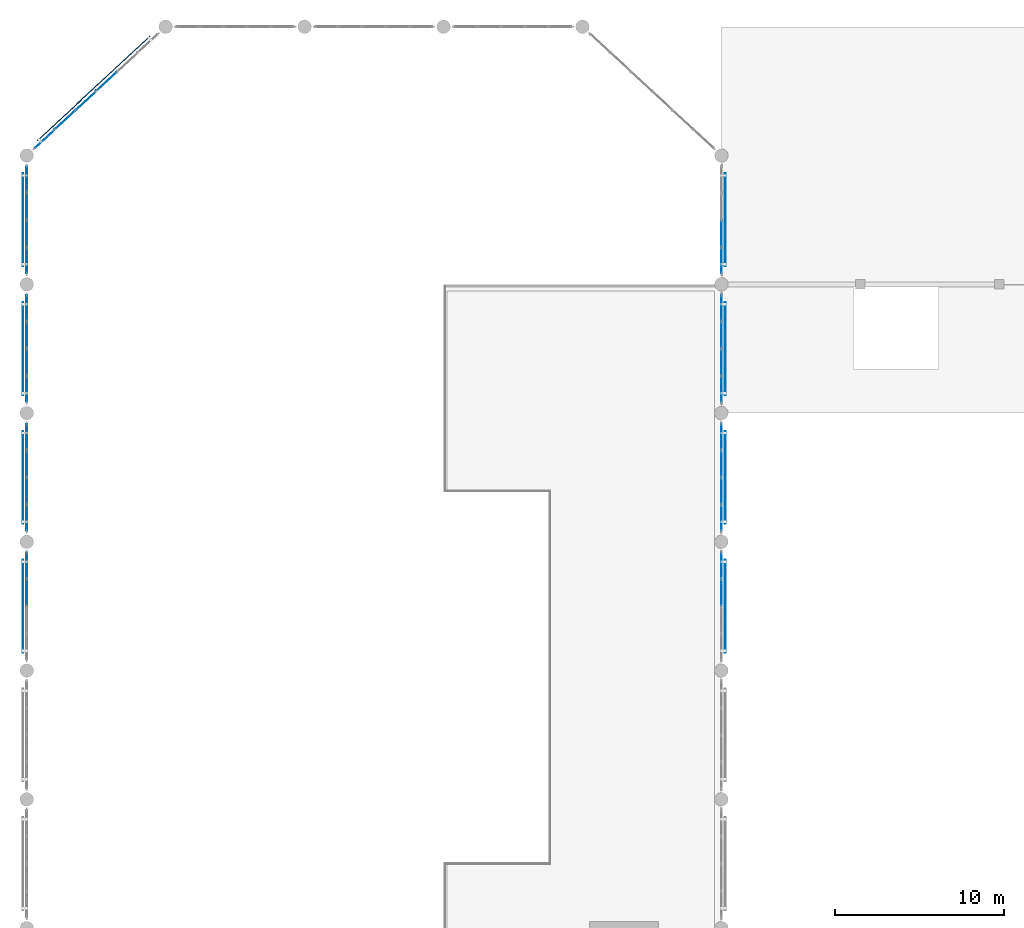
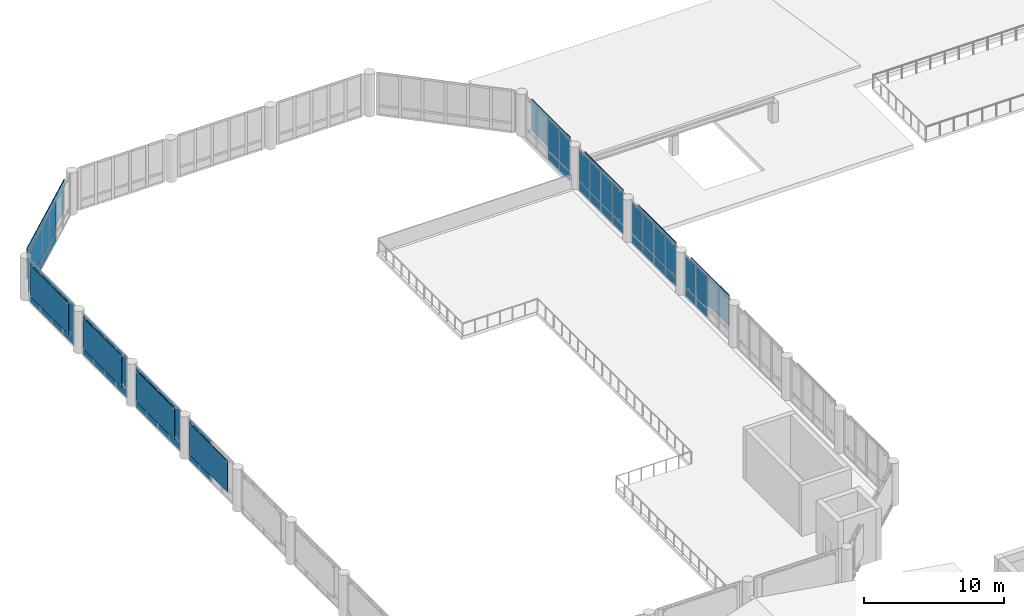
# One storey, part 30 of 49: 69 plates, 9 elements without a shape of their own.
"""IFC4 building model written with IfcOpenShell, lengths in metres."""

from ifc_helpers import new_model, si_unit, direction, frame, origin, origin_2d, place, context, subcontext, project, spatial, rectangle, extrude, material, layer, layer_set, type_object, element, aggregate, save


model = new_model("IFC4")

# Units and contexts
model_context = context("Model", 3, precision=1e-05, world=origin(), true_north=direction((0.0, 1.0)))
body_context = subcontext(model_context, "Body", "Model", "MODEL_VIEW")
ifc_project = project(units=[si_unit("LENGTHUNIT", "METRE"), si_unit("AREAUNIT", "SQUARE_METRE"), si_unit("VOLUMEUNIT", "CUBIC_METRE"), si_unit("PLANEANGLEUNIT", "RADIAN"), si_unit("MASSUNIT", "GRAM", prefix="KILO")], contexts=[model_context])

# Site, building, storey
site_placement = place(None, origin())
site = spatial("IfcSite", under=ifc_project, at=site_placement, CompositionType="ELEMENT")
building_placement = place(site_placement, origin())
building = spatial("IfcBuilding", under=site, at=building_placement, Name="Qandaris Square Conservatory and Botanical Centre", CompositionType="ELEMENT")
storey_placement = place(building_placement, frame((0.0, 0.0, 10.199951171875)))
storey = spatial("IfcBuildingStorey", under=building, at=storey_placement, Name="L02", CompositionType="ELEMENT", Elevation=10.199951171875)

# Curtain wall, plates
ifc_material_1 = material(Name="Anodised Aluminium", Category="aluminium")
curtain_wall_type_1 = type_object("IfcCurtainWallType", Name="Unitised Curtain Wall CW-2-644x370", PredefinedType="USERDEFINED", material=ifc_material_1)
curtain_wall_1_placement = place(storey_placement, origin())
curtain_wall_1 = element("IfcCurtainWall", 1, at=curtain_wall_1_placement, inside=storey, type_object=curtain_wall_type_1, Name="Curtain Wall CW-CON-L02-3-4", ObjectType="GLAZED CURTAIN WALL", PredefinedType="USERDEFINED")
ifc_material_2 = material(Name="Tempered Low-E Glass", Category="glass")
ifc_layer_1 = layer(ifc_material_2, 0.0400390625)
ifc_layer_set_1 = layer_set([ifc_layer_1], Name="Tempered Low-E Glass")
plate_type_1 = type_object("IfcPlateType", Name="Conservatory Laminated Low-Iron Biome Glass 40mm", PredefinedType="CURTAIN_PANEL", material=ifc_layer_set_1)
plate_1_placement = place(storey_placement, frame((57.199951171875, 82.0048828125, 0.0751953125), z_axis=(0.0, 0.0, 1.0), x_axis=(0.0, 1.0, 0.0)))
plate_1 = element("IfcPlate", 2, at=plate_1_placement, type_object=plate_type_1, Name="CW-2-644x370 panel 3.1", PredefinedType="CURTAIN_PANEL", context=body_context, shape_type="SweptSolid", body=[
    extrude(rectangle(XDim=1.534912109375, YDim=0.0400390625, at=origin_2d()), origin(), (0.0, 0.0, 1.0), 0.737548828125),
])
plate_2_placement = place(storey_placement, frame((57.199951171875, 82.0048828125, 0.8876953125), z_axis=(0.0, 0.0, 1.0), x_axis=(0.0, 1.0, 0.0)))
plate_2 = element("IfcPlate", 3, at=plate_2_placement, type_object=plate_type_1, Name="CW-2-644x370 panel 3.2", PredefinedType="CURTAIN_PANEL", context=body_context, shape_type="SweptSolid", body=[
    extrude(rectangle(XDim=1.534912109375, YDim=0.0400390625, at=origin_2d()), origin(), (0.0, 0.0, 1.0), 2.737548828125),
])
plate_3_placement = place(storey_placement, frame((57.199951171875, 83.59619140625, 0.0751953125), z_axis=(0.0, 0.0, 1.0), x_axis=(0.0, 1.0, 0.0)))
plate_3 = element("IfcPlate", 4, at=plate_3_placement, type_object=plate_type_1, Name="CW-2-644x370 panel 4.1", PredefinedType="CURTAIN_PANEL", context=body_context, shape_type="SweptSolid", body=[
    extrude(rectangle(XDim=1.49755859375, YDim=0.0400390625, at=origin_2d()), origin(), (0.0, 0.0, 1.0), 0.737548828125),
])
plate_4_placement = place(storey_placement, frame((57.199951171875, 83.59619140625, 0.8876953125), z_axis=(0.0, 0.0, 1.0), x_axis=(0.0, 1.0, 0.0)))
plate_4 = element("IfcPlate", 5, at=plate_4_placement, type_object=plate_type_1, Name="CW-2-644x370 panel 4.2", PredefinedType="CURTAIN_PANEL", context=body_context, shape_type="SweptSolid", body=[
    extrude(rectangle(XDim=1.49755859375, YDim=0.0400390625, at=origin_2d()), origin(), (0.0, 0.0, 1.0), 2.737548828125),
])
aggregate(curtain_wall_1, [plate_1, plate_2, plate_3, plate_4])

curtain_wall_2_placement = place(storey_placement, origin())
curtain_wall_2 = element("IfcCurtainWall", 6, at=curtain_wall_2_placement, inside=storey, type_object=curtain_wall_type_1, Name="Curtain Wall CW-CON-L02-3-5", ObjectType="GLAZED CURTAIN WALL", PredefinedType="USERDEFINED")
plate_5_placement = place(storey_placement, frame((57.199951171875, 86.40380859375, 0.0751953125), z_axis=(0.0, 0.0, 1.0), x_axis=(0.0, 1.0, 0.0)))
plate_5 = element("IfcPlate", 7, at=plate_5_placement, type_object=plate_type_1, Name="CW-2-644x370 panel 1.1", PredefinedType="CURTAIN_PANEL", context=body_context, shape_type="SweptSolid", body=[
    extrude(rectangle(XDim=1.49755859375, YDim=0.0400390625, at=origin_2d()), origin(), (0.0, 0.0, 1.0), 0.737548828125),
])
plate_6_placement = place(storey_placement, frame((57.199951171875, 86.40380859375, 0.8876953125), z_axis=(0.0, 0.0, 1.0), x_axis=(0.0, 1.0, 0.0)))
plate_6 = element("IfcPlate", 8, at=plate_6_placement, type_object=plate_type_1, Name="CW-2-644x370 panel 1.2", PredefinedType="CURTAIN_PANEL", context=body_context, shape_type="SweptSolid", body=[
    extrude(rectangle(XDim=1.49755859375, YDim=0.0400390625, at=origin_2d()), origin(), (0.0, 0.0, 1.0), 2.737548828125),
])
plate_7_placement = place(storey_placement, frame((57.199951171875, 87.9951171875, 0.0751953125), z_axis=(0.0, 0.0, 1.0), x_axis=(0.0, 1.0, 0.0)))
plate_7 = element("IfcPlate", 9, at=plate_7_placement, type_object=plate_type_1, Name="CW-2-644x370 panel 2.1", PredefinedType="CURTAIN_PANEL", context=body_context, shape_type="SweptSolid", body=[
    extrude(rectangle(XDim=1.534912109375, YDim=0.0400390625, at=origin_2d()), origin(), (0.0, 0.0, 1.0), 0.737548828125),
])
plate_8_placement = place(storey_placement, frame((57.199951171875, 87.9951171875, 0.8876953125), z_axis=(0.0, 0.0, 1.0), x_axis=(0.0, 1.0, 0.0)))
plate_8 = element("IfcPlate", 10, at=plate_8_placement, type_object=plate_type_1, Name="CW-2-644x370 panel 2.2", PredefinedType="CURTAIN_PANEL", context=body_context, shape_type="SweptSolid", body=[
    extrude(rectangle(XDim=1.534912109375, YDim=0.0400390625, at=origin_2d()), origin(), (0.0, 0.0, 1.0), 2.737548828125),
])
plate_9_placement = place(storey_placement, frame((57.199951171875, 89.60498046875, 0.0751953125), z_axis=(0.0, 0.0, 1.0), x_axis=(0.0, 1.0, 0.0)))
plate_9 = element("IfcPlate", 11, at=plate_9_placement, type_object=plate_type_1, Name="CW-2-644x370 panel 3.1", PredefinedType="CURTAIN_PANEL", context=body_context, shape_type="SweptSolid", body=[
    extrude(rectangle(XDim=1.534912109375, YDim=0.0400390625, at=origin_2d()), origin(), (0.0, 0.0, 1.0), 0.737548828125),
])
plate_10_placement = place(storey_placement, frame((57.199951171875, 89.60498046875, 0.8876953125), z_axis=(0.0, 0.0, 1.0), x_axis=(0.0, 1.0, 0.0)))
plate_10 = element("IfcPlate", 12, at=plate_10_placement, type_object=plate_type_1, Name="CW-2-644x370 panel 3.2", PredefinedType="CURTAIN_PANEL", context=body_context, shape_type="SweptSolid", body=[
    extrude(rectangle(XDim=1.534912109375, YDim=0.0400390625, at=origin_2d()), origin(), (0.0, 0.0, 1.0), 2.737548828125),
])
plate_11_placement = place(storey_placement, frame((57.199951171875, 91.1962890625, 0.0751953125), z_axis=(0.0, 0.0, 1.0), x_axis=(0.0, 1.0, 0.0)))
plate_11 = element("IfcPlate", 13, at=plate_11_placement, type_object=plate_type_1, Name="CW-2-644x370 panel 4.1", PredefinedType="CURTAIN_PANEL", context=body_context, shape_type="SweptSolid", body=[
    extrude(rectangle(XDim=1.49755859375, YDim=0.0400390625, at=origin_2d()), origin(), (0.0, 0.0, 1.0), 0.737548828125),
])
plate_12_placement = place(storey_placement, frame((57.199951171875, 91.1962890625, 0.8876953125), z_axis=(0.0, 0.0, 1.0), x_axis=(0.0, 1.0, 0.0)))
plate_12 = element("IfcPlate", 14, at=plate_12_placement, type_object=plate_type_1, Name="CW-2-644x370 panel 4.2", PredefinedType="CURTAIN_PANEL", context=body_context, shape_type="SweptSolid", body=[
    extrude(rectangle(XDim=1.49755859375, YDim=0.0400390625, at=origin_2d()), origin(), (0.0, 0.0, 1.0), 2.737548828125),
])
aggregate(curtain_wall_2, [plate_5, plate_6, plate_7, plate_8, plate_9, plate_10, plate_11, plate_12])

curtain_wall_3_placement = place(storey_placement, origin())
curtain_wall_3 = element("IfcCurtainWall", 15, at=curtain_wall_3_placement, inside=storey, type_object=curtain_wall_type_1, Name="Curtain Wall CW-CON-L02-3-6", ObjectType="GLAZED CURTAIN WALL", PredefinedType="USERDEFINED")
plate_13_placement = place(storey_placement, frame((57.199951171875, 94.003662109375, 0.0751953125), z_axis=(0.0, 0.0, 1.0), x_axis=(0.0, 1.0, 0.0)))
plate_13 = element("IfcPlate", 16, at=plate_13_placement, type_object=plate_type_1, Name="CW-2-644x370 panel 1.1", PredefinedType="CURTAIN_PANEL", context=body_context, shape_type="SweptSolid", body=[
    extrude(rectangle(XDim=1.49755859375, YDim=0.0400390625, at=origin_2d()), origin(), (0.0, 0.0, 1.0), 0.737548828125),
])
plate_14_placement = place(storey_placement, frame((57.199951171875, 94.003662109375, 0.8876953125), z_axis=(0.0, 0.0, 1.0), x_axis=(0.0, 1.0, 0.0)))
plate_14 = element("IfcPlate", 17, at=plate_14_placement, type_object=plate_type_1, Name="CW-2-644x370 panel 1.2", PredefinedType="CURTAIN_PANEL", context=body_context, shape_type="SweptSolid", body=[
    extrude(rectangle(XDim=1.49755859375, YDim=0.0400390625, at=origin_2d()), origin(), (0.0, 0.0, 1.0), 2.737548828125),
])
plate_15_placement = place(storey_placement, frame((57.199951171875, 95.594970703125, 0.0751953125), z_axis=(0.0, 0.0, 1.0), x_axis=(0.0, 1.0, 0.0)))
plate_15 = element("IfcPlate", 18, at=plate_15_placement, type_object=plate_type_1, Name="CW-2-644x370 panel 2.1", PredefinedType="CURTAIN_PANEL", context=body_context, shape_type="SweptSolid", body=[
    extrude(rectangle(XDim=1.534912109375, YDim=0.0400390625, at=origin_2d()), origin(), (0.0, 0.0, 1.0), 0.737548828125),
])
plate_16_placement = place(storey_placement, frame((57.199951171875, 95.594970703125, 0.8876953125), z_axis=(0.0, 0.0, 1.0), x_axis=(0.0, 1.0, 0.0)))
plate_16 = element("IfcPlate", 19, at=plate_16_placement, type_object=plate_type_1, Name="CW-2-644x370 panel 2.2", PredefinedType="CURTAIN_PANEL", context=body_context, shape_type="SweptSolid", body=[
    extrude(rectangle(XDim=1.534912109375, YDim=0.0400390625, at=origin_2d()), origin(), (0.0, 0.0, 1.0), 2.737548828125),
])
plate_17_placement = place(storey_placement, frame((57.199951171875, 97.205078125, 0.0751953125), z_axis=(0.0, 0.0, 1.0), x_axis=(0.0, 1.0, 0.0)))
plate_17 = element("IfcPlate", 20, at=plate_17_placement, type_object=plate_type_1, Name="CW-2-644x370 panel 3.1", PredefinedType="CURTAIN_PANEL", context=body_context, shape_type="SweptSolid", body=[
    extrude(rectangle(XDim=1.534912109375, YDim=0.0400390625, at=origin_2d()), origin(), (0.0, 0.0, 1.0), 0.737548828125),
])
plate_18_placement = place(storey_placement, frame((57.199951171875, 97.205078125, 0.8876953125), z_axis=(0.0, 0.0, 1.0), x_axis=(0.0, 1.0, 0.0)))
plate_18 = element("IfcPlate", 21, at=plate_18_placement, type_object=plate_type_1, Name="CW-2-644x370 panel 3.2", PredefinedType="CURTAIN_PANEL", context=body_context, shape_type="SweptSolid", body=[
    extrude(rectangle(XDim=1.534912109375, YDim=0.0400390625, at=origin_2d()), origin(), (0.0, 0.0, 1.0), 2.737548828125),
])
plate_19_placement = place(storey_placement, frame((57.199951171875, 98.796142578125, 0.0751953125), z_axis=(0.0, 0.0, 1.0), x_axis=(0.0, 1.0, 0.0)))
plate_19 = element("IfcPlate", 22, at=plate_19_placement, type_object=plate_type_1, Name="CW-2-644x370 panel 4.1", PredefinedType="CURTAIN_PANEL", context=body_context, shape_type="SweptSolid", body=[
    extrude(rectangle(XDim=1.49755859375, YDim=0.0400390625, at=origin_2d()), origin(), (0.0, 0.0, 1.0), 0.737548828125),
])
plate_20_placement = place(storey_placement, frame((57.199951171875, 98.796142578125, 0.8876953125), z_axis=(0.0, 0.0, 1.0), x_axis=(0.0, 1.0, 0.0)))
plate_20 = element("IfcPlate", 23, at=plate_20_placement, type_object=plate_type_1, Name="CW-2-644x370 panel 4.2", PredefinedType="CURTAIN_PANEL", context=body_context, shape_type="SweptSolid", body=[
    extrude(rectangle(XDim=1.49755859375, YDim=0.0400390625, at=origin_2d()), origin(), (0.0, 0.0, 1.0), 2.737548828125),
])
aggregate(curtain_wall_3, [plate_13, plate_14, plate_15, plate_16, plate_17, plate_18, plate_19, plate_20])

curtain_wall_4_placement = place(storey_placement, origin())
curtain_wall_4 = element("IfcCurtainWall", 24, at=curtain_wall_4_placement, inside=storey, type_object=curtain_wall_type_1, Name="Curtain Wall CW-CON-L02-3-7", ObjectType="GLAZED CURTAIN WALL", PredefinedType="USERDEFINED")
plate_21_placement = place(storey_placement, frame((57.199951171875, 101.603759765625, 0.0751953125), z_axis=(0.0, 0.0, 1.0), x_axis=(0.0, 1.0, 0.0)))
plate_21 = element("IfcPlate", 25, at=plate_21_placement, type_object=plate_type_1, Name="CW-2-644x370 panel 1.1", PredefinedType="CURTAIN_PANEL", context=body_context, shape_type="SweptSolid", body=[
    extrude(rectangle(XDim=1.49755859375, YDim=0.0400390625, at=origin_2d()), origin(), (0.0, 0.0, 1.0), 0.737548828125),
])
plate_22_placement = place(storey_placement, frame((57.199951171875, 101.603759765625, 0.8876953125), z_axis=(0.0, 0.0, 1.0), x_axis=(0.0, 1.0, 0.0)))
plate_22 = element("IfcPlate", 26, at=plate_22_placement, type_object=plate_type_1, Name="CW-2-644x370 panel 1.2", PredefinedType="CURTAIN_PANEL", context=body_context, shape_type="SweptSolid", body=[
    extrude(rectangle(XDim=1.49755859375, YDim=0.0400390625, at=origin_2d()), origin(), (0.0, 0.0, 1.0), 2.737548828125),
])
plate_23_placement = place(storey_placement, frame((57.199951171875, 103.195068359375, 0.0751953125), z_axis=(0.0, 0.0, 1.0), x_axis=(0.0, 1.0, 0.0)))
plate_23 = element("IfcPlate", 27, at=plate_23_placement, type_object=plate_type_1, Name="CW-2-644x370 panel 2.1", PredefinedType="CURTAIN_PANEL", context=body_context, shape_type="SweptSolid", body=[
    extrude(rectangle(XDim=1.534912109375, YDim=0.0400390625, at=origin_2d()), origin(), (0.0, 0.0, 1.0), 0.737548828125),
])
plate_24_placement = place(storey_placement, frame((57.199951171875, 103.195068359375, 0.8876953125), z_axis=(0.0, 0.0, 1.0), x_axis=(0.0, 1.0, 0.0)))
plate_24 = element("IfcPlate", 28, at=plate_24_placement, type_object=plate_type_1, Name="CW-2-644x370 panel 2.2", PredefinedType="CURTAIN_PANEL", context=body_context, shape_type="SweptSolid", body=[
    extrude(rectangle(XDim=1.534912109375, YDim=0.0400390625, at=origin_2d()), origin(), (0.0, 0.0, 1.0), 2.737548828125),
])
aggregate(curtain_wall_4, [plate_21, plate_22, plate_23, plate_24])

curtain_wall_type_2 = type_object("IfcCurtainWallType", Name="Unitised Curtain Wall CW-2-1002x370", PredefinedType="USERDEFINED", material=ifc_material_1)
curtain_wall_5_placement = place(storey_placement, origin())
curtain_wall_5 = element("IfcCurtainWall", 29, at=curtain_wall_5_placement, inside=storey, type_object=curtain_wall_type_2, Name="Curtain Wall CW-CON-L02-6-1", ObjectType="GLAZED CURTAIN WALL", PredefinedType="USERDEFINED")
plate_25_placement = place(storey_placement, frame((20.912353515625, 112.167724609375, 0.0751953125), z_axis=(0.0, 0.0, 1.0), x_axis=(-0.733432966404, -0.679761784592, 0.0)))
plate_25 = element("IfcPlate", 30, at=plate_25_placement, type_object=plate_type_1, Name="CW-2-1002x370 panel 3.1", PredefinedType="CURTAIN_PANEL", context=body_context, shape_type="SweptSolid", body=[
    extrude(rectangle(XDim=1.594970703125, YDim=0.0400390625, at=origin_2d()), origin(), (0.0, 0.0, 1.0), 0.737548828125),
])
plate_26_placement = place(storey_placement, frame((20.912353515625, 112.167724609375, 0.8876953125), z_axis=(0.0, 0.0, 1.0), x_axis=(-0.733432966404, -0.679761784592, 0.0)))
plate_26 = element("IfcPlate", 31, at=plate_26_placement, type_object=plate_type_1, Name="CW-2-1002x370 panel 3.2", PredefinedType="CURTAIN_PANEL", context=body_context, shape_type="SweptSolid", body=[
    extrude(rectangle(XDim=1.594970703125, YDim=0.0400390625, at=origin_2d()), origin(), (0.0, 0.0, 1.0), 2.737548828125),
])
plate_27_placement = place(storey_placement, frame((19.6875, 111.032470703125, 0.0751953125), z_axis=(0.0, 0.0, 1.0), x_axis=(-0.733432966404, -0.679761784592, 0.0)))
plate_27 = element("IfcPlate", 32, at=plate_27_placement, type_object=plate_type_1, Name="CW-2-1002x370 panel 4.1", PredefinedType="CURTAIN_PANEL", context=body_context, shape_type="SweptSolid", body=[
    extrude(rectangle(XDim=1.594970703125, YDim=0.0400390625, at=origin_2d()), origin(), (0.0, 0.0, 1.0), 0.737548828125),
])
plate_28_placement = place(storey_placement, frame((19.6875, 111.032470703125, 0.8876953125), z_axis=(0.0, 0.0, 1.0), x_axis=(-0.733432966404, -0.679761784592, 0.0)))
plate_28 = element("IfcPlate", 33, at=plate_28_placement, type_object=plate_type_1, Name="CW-2-1002x370 panel 4.2", PredefinedType="CURTAIN_PANEL", context=body_context, shape_type="SweptSolid", body=[
    extrude(rectangle(XDim=1.594970703125, YDim=0.0400390625, at=origin_2d()), origin(), (0.0, 0.0, 1.0), 2.737548828125),
])
plate_29_placement = place(storey_placement, frame((18.462646484375, 109.897216796875, 0.0751953125), z_axis=(0.0, 0.0, 1.0), x_axis=(-0.733432966404, -0.679761784592, 0.0)))
plate_29 = element("IfcPlate", 34, at=plate_29_placement, type_object=plate_type_1, Name="CW-2-1002x370 panel 5.1", PredefinedType="CURTAIN_PANEL", context=body_context, shape_type="SweptSolid", body=[
    extrude(rectangle(XDim=1.594970703125, YDim=0.0400390625, at=origin_2d()), origin(), (0.0, 0.0, 1.0), 0.737548828125),
])
plate_30_placement = place(storey_placement, frame((18.462646484375, 109.897216796875, 0.8876953125), z_axis=(0.0, 0.0, 1.0), x_axis=(-0.733432966404, -0.679761784592, 0.0)))
plate_30 = element("IfcPlate", 35, at=plate_30_placement, type_object=plate_type_1, Name="CW-2-1002x370 panel 5.2", PredefinedType="CURTAIN_PANEL", context=body_context, shape_type="SweptSolid", body=[
    extrude(rectangle(XDim=1.594970703125, YDim=0.0400390625, at=origin_2d()), origin(), (0.0, 0.0, 1.0), 2.737548828125),
])
plate_31_placement = place(storey_placement, frame((17.25146484375, 108.774658203125, 0.0751953125), z_axis=(0.0, 0.0, 1.0), x_axis=(-0.733432966404, -0.679761784592, 0.0)))
plate_31 = element("IfcPlate", 36, at=plate_31_placement, type_object=plate_type_1, Name="CW-2-1002x370 panel 6.1", PredefinedType="CURTAIN_PANEL", context=body_context, shape_type="SweptSolid", body=[
    extrude(rectangle(XDim=1.5576171875, YDim=0.0400390625, at=origin_2d()), origin(), (0.0, 0.0, 1.0), 0.737548828125),
])
plate_32_placement = place(storey_placement, frame((17.25146484375, 108.774658203125, 0.8876953125), z_axis=(0.0, 0.0, 1.0), x_axis=(-0.733432966404, -0.679761784592, 0.0)))
plate_32 = element("IfcPlate", 37, at=plate_32_placement, type_object=plate_type_1, Name="CW-2-1002x370 panel 6.2", PredefinedType="CURTAIN_PANEL", context=body_context, shape_type="SweptSolid", body=[
    extrude(rectangle(XDim=1.5576171875, YDim=0.0400390625, at=origin_2d()), origin(), (0.0, 0.0, 1.0), 2.737548828125),
])
aggregate(curtain_wall_5, [plate_25, plate_26, plate_27, plate_28, plate_29, plate_30, plate_31, plate_32])

curtain_wall_6_placement = place(storey_placement, origin())
curtain_wall_6 = element("IfcCurtainWall", 38, at=curtain_wall_6_placement, inside=storey, type_object=curtain_wall_type_1, Name="Curtain Wall CW-CON-L02-7-1", ObjectType="GLAZED CURTAIN WALL", PredefinedType="USERDEFINED")
plate_33_placement = place(storey_placement, frame((16.199951171875, 106.396240234375, 0.0751953125), z_axis=(0.0, 0.0, 1.0), x_axis=(0.0, -1.0, 0.0)))
plate_33 = element("IfcPlate", 39, at=plate_33_placement, type_object=plate_type_1, Name="CW-2-644x370 panel 1.1", PredefinedType="CURTAIN_PANEL", context=body_context, shape_type="SweptSolid", body=[
    extrude(rectangle(XDim=1.49755859375, YDim=0.0400390625, at=origin_2d()), origin(), (0.0, 0.0, 1.0), 0.737548828125),
])
plate_34_placement = place(storey_placement, frame((16.199951171875, 106.396240234375, 0.8876953125), z_axis=(0.0, 0.0, 1.0), x_axis=(0.0, -1.0, 0.0)))
plate_34 = element("IfcPlate", 40, at=plate_34_placement, type_object=plate_type_1, Name="CW-2-644x370 panel 1.2", PredefinedType="CURTAIN_PANEL", context=body_context, shape_type="SweptSolid", body=[
    extrude(rectangle(XDim=1.49755859375, YDim=0.0400390625, at=origin_2d()), origin(), (0.0, 0.0, 1.0), 2.737548828125),
])
plate_35_placement = place(storey_placement, frame((16.199951171875, 104.804931640625, 0.0751953125), z_axis=(0.0, 0.0, 1.0), x_axis=(0.0, -1.0, 0.0)))
plate_35 = element("IfcPlate", 41, at=plate_35_placement, type_object=plate_type_1, Name="CW-2-644x370 panel 2.1", PredefinedType="CURTAIN_PANEL", context=body_context, shape_type="SweptSolid", body=[
    extrude(rectangle(XDim=1.534912109375, YDim=0.0400390625, at=origin_2d()), origin(), (0.0, 0.0, 1.0), 0.737548828125),
])
plate_36_placement = place(storey_placement, frame((16.199951171875, 104.804931640625, 0.8876953125), z_axis=(0.0, 0.0, 1.0), x_axis=(0.0, -1.0, 0.0)))
plate_36 = element("IfcPlate", 42, at=plate_36_placement, type_object=plate_type_1, Name="CW-2-644x370 panel 2.2", PredefinedType="CURTAIN_PANEL", context=body_context, shape_type="SweptSolid", body=[
    extrude(rectangle(XDim=1.534912109375, YDim=0.0400390625, at=origin_2d()), origin(), (0.0, 0.0, 1.0), 2.737548828125),
])
plate_37_placement = place(storey_placement, frame((16.199951171875, 103.195068359375, 0.0751953125), z_axis=(0.0, 0.0, 1.0), x_axis=(0.0, -1.0, 0.0)))
plate_37 = element("IfcPlate", 43, at=plate_37_placement, type_object=plate_type_1, Name="CW-2-644x370 panel 3.1", PredefinedType="CURTAIN_PANEL", context=body_context, shape_type="SweptSolid", body=[
    extrude(rectangle(XDim=1.534912109375, YDim=0.0400390625, at=origin_2d()), origin(), (0.0, 0.0, 1.0), 0.737548828125),
])
plate_38_placement = place(storey_placement, frame((16.199951171875, 103.195068359375, 0.8876953125), z_axis=(0.0, 0.0, 1.0), x_axis=(0.0, -1.0, 0.0)))
plate_38 = element("IfcPlate", 44, at=plate_38_placement, type_object=plate_type_1, Name="CW-2-644x370 panel 3.2", PredefinedType="CURTAIN_PANEL", context=body_context, shape_type="SweptSolid", body=[
    extrude(rectangle(XDim=1.534912109375, YDim=0.0400390625, at=origin_2d()), origin(), (0.0, 0.0, 1.0), 2.737548828125),
])
plate_39_placement = place(storey_placement, frame((16.199951171875, 101.603759765625, 0.0751953125), z_axis=(0.0, 0.0, 1.0), x_axis=(0.0, -1.0, 0.0)))
plate_39 = element("IfcPlate", 45, at=plate_39_placement, type_object=plate_type_1, Name="CW-2-644x370 panel 4.1", PredefinedType="CURTAIN_PANEL", context=body_context, shape_type="SweptSolid", body=[
    extrude(rectangle(XDim=1.49755859375, YDim=0.0400390625, at=origin_2d()), origin(), (0.0, 0.0, 1.0), 0.737548828125),
])
plate_40_placement = place(storey_placement, frame((16.199951171875, 101.603759765625, 0.8876953125), z_axis=(0.0, 0.0, 1.0), x_axis=(0.0, -1.0, 0.0)))
plate_40 = element("IfcPlate", 46, at=plate_40_placement, type_object=plate_type_1, Name="CW-2-644x370 panel 4.2", PredefinedType="CURTAIN_PANEL", context=body_context, shape_type="SweptSolid", body=[
    extrude(rectangle(XDim=1.49755859375, YDim=0.0400390625, at=origin_2d()), origin(), (0.0, 0.0, 1.0), 2.737548828125),
])
aggregate(curtain_wall_6, [plate_33, plate_34, plate_35, plate_36, plate_37, plate_38, plate_39, plate_40])

curtain_wall_7_placement = place(storey_placement, origin())
curtain_wall_7 = element("IfcCurtainWall", 47, at=curtain_wall_7_placement, inside=storey, type_object=curtain_wall_type_1, Name="Curtain Wall CW-CON-L02-7-2", ObjectType="GLAZED CURTAIN WALL", PredefinedType="USERDEFINED")
plate_41_placement = place(storey_placement, frame((16.199951171875, 98.796142578125, 0.0751953125), z_axis=(0.0, 0.0, 1.0), x_axis=(0.0, -1.0, 0.0)))
plate_41 = element("IfcPlate", 48, at=plate_41_placement, type_object=plate_type_1, Name="CW-2-644x370 panel 1.1", PredefinedType="CURTAIN_PANEL", context=body_context, shape_type="SweptSolid", body=[
    extrude(rectangle(XDim=1.49755859375, YDim=0.0400390625, at=origin_2d()), origin(), (0.0, 0.0, 1.0), 0.737548828125),
])
plate_42_placement = place(storey_placement, frame((16.199951171875, 98.796142578125, 0.8876953125), z_axis=(0.0, 0.0, 1.0), x_axis=(0.0, -1.0, 0.0)))
plate_42 = element("IfcPlate", 49, at=plate_42_placement, type_object=plate_type_1, Name="CW-2-644x370 panel 1.2", PredefinedType="CURTAIN_PANEL", context=body_context, shape_type="SweptSolid", body=[
    extrude(rectangle(XDim=1.49755859375, YDim=0.0400390625, at=origin_2d()), origin(), (0.0, 0.0, 1.0), 2.737548828125),
])
plate_43_placement = place(storey_placement, frame((16.199951171875, 97.205078125, 0.0751953125), z_axis=(0.0, 0.0, 1.0), x_axis=(0.0, -1.0, 0.0)))
plate_43 = element("IfcPlate", 50, at=plate_43_placement, type_object=plate_type_1, Name="CW-2-644x370 panel 2.1", PredefinedType="CURTAIN_PANEL", context=body_context, shape_type="SweptSolid", body=[
    extrude(rectangle(XDim=1.534912109375, YDim=0.0400390625, at=origin_2d()), origin(), (0.0, 0.0, 1.0), 0.737548828125),
])
plate_44_placement = place(storey_placement, frame((16.199951171875, 97.205078125, 0.8876953125), z_axis=(0.0, 0.0, 1.0), x_axis=(0.0, -1.0, 0.0)))
plate_44 = element("IfcPlate", 51, at=plate_44_placement, type_object=plate_type_1, Name="CW-2-644x370 panel 2.2", PredefinedType="CURTAIN_PANEL", context=body_context, shape_type="SweptSolid", body=[
    extrude(rectangle(XDim=1.534912109375, YDim=0.0400390625, at=origin_2d()), origin(), (0.0, 0.0, 1.0), 2.737548828125),
])
plate_45_placement = place(storey_placement, frame((16.199951171875, 95.594970703125, 0.0751953125), z_axis=(0.0, 0.0, 1.0), x_axis=(0.0, -1.0, 0.0)))
plate_45 = element("IfcPlate", 52, at=plate_45_placement, type_object=plate_type_1, Name="CW-2-644x370 panel 3.1", PredefinedType="CURTAIN_PANEL", context=body_context, shape_type="SweptSolid", body=[
    extrude(rectangle(XDim=1.534912109375, YDim=0.0400390625, at=origin_2d()), origin(), (0.0, 0.0, 1.0), 0.737548828125),
])
plate_46_placement = place(storey_placement, frame((16.199951171875, 95.594970703125, 0.8876953125), z_axis=(0.0, 0.0, 1.0), x_axis=(0.0, -1.0, 0.0)))
plate_46 = element("IfcPlate", 53, at=plate_46_placement, type_object=plate_type_1, Name="CW-2-644x370 panel 3.2", PredefinedType="CURTAIN_PANEL", context=body_context, shape_type="SweptSolid", body=[
    extrude(rectangle(XDim=1.534912109375, YDim=0.0400390625, at=origin_2d()), origin(), (0.0, 0.0, 1.0), 2.737548828125),
])
plate_47_placement = place(storey_placement, frame((16.199951171875, 94.003662109375, 0.0751953125), z_axis=(0.0, 0.0, 1.0), x_axis=(0.0, -1.0, 0.0)))
plate_47 = element("IfcPlate", 54, at=plate_47_placement, type_object=plate_type_1, Name="CW-2-644x370 panel 4.1", PredefinedType="CURTAIN_PANEL", context=body_context, shape_type="SweptSolid", body=[
    extrude(rectangle(XDim=1.49755859375, YDim=0.0400390625, at=origin_2d()), origin(), (0.0, 0.0, 1.0), 0.737548828125),
])
plate_48_placement = place(storey_placement, frame((16.199951171875, 94.003662109375, 0.8876953125), z_axis=(0.0, 0.0, 1.0), x_axis=(0.0, -1.0, 0.0)))
plate_48 = element("IfcPlate", 55, at=plate_48_placement, type_object=plate_type_1, Name="CW-2-644x370 panel 4.2", PredefinedType="CURTAIN_PANEL", context=body_context, shape_type="SweptSolid", body=[
    extrude(rectangle(XDim=1.49755859375, YDim=0.0400390625, at=origin_2d()), origin(), (0.0, 0.0, 1.0), 2.737548828125),
])
aggregate(curtain_wall_7, [plate_41, plate_42, plate_43, plate_44, plate_45, plate_46, plate_47, plate_48])

curtain_wall_8_placement = place(storey_placement, origin())
curtain_wall_8 = element("IfcCurtainWall", 56, at=curtain_wall_8_placement, inside=storey, type_object=curtain_wall_type_1, Name="Curtain Wall CW-CON-L02-7-3", ObjectType="GLAZED CURTAIN WALL", PredefinedType="USERDEFINED")
plate_49_placement = place(storey_placement, frame((16.199951171875, 91.1962890625, 0.0751953125), z_axis=(0.0, 0.0, 1.0), x_axis=(0.0, -1.0, 0.0)))
plate_49 = element("IfcPlate", 57, at=plate_49_placement, type_object=plate_type_1, Name="CW-2-644x370 panel 1.1", PredefinedType="CURTAIN_PANEL", context=body_context, shape_type="SweptSolid", body=[
    extrude(rectangle(XDim=1.49755859375, YDim=0.0400390625, at=origin_2d()), origin(), (0.0, 0.0, 1.0), 0.737548828125),
])
plate_50_placement = place(storey_placement, frame((16.199951171875, 91.1962890625, 0.8876953125), z_axis=(0.0, 0.0, 1.0), x_axis=(0.0, -1.0, 0.0)))
plate_50 = element("IfcPlate", 58, at=plate_50_placement, type_object=plate_type_1, Name="CW-2-644x370 panel 1.2", PredefinedType="CURTAIN_PANEL", context=body_context, shape_type="SweptSolid", body=[
    extrude(rectangle(XDim=1.49755859375, YDim=0.0400390625, at=origin_2d()), origin(), (0.0, 0.0, 1.0), 2.737548828125),
])
plate_51_placement = place(storey_placement, frame((16.199951171875, 89.60498046875, 0.0751953125), z_axis=(0.0, 0.0, 1.0), x_axis=(0.0, -1.0, 0.0)))
plate_51 = element("IfcPlate", 59, at=plate_51_placement, type_object=plate_type_1, Name="CW-2-644x370 panel 2.1", PredefinedType="CURTAIN_PANEL", context=body_context, shape_type="SweptSolid", body=[
    extrude(rectangle(XDim=1.534912109375, YDim=0.0400390625, at=origin_2d()), origin(), (0.0, 0.0, 1.0), 0.737548828125),
])
plate_52_placement = place(storey_placement, frame((16.199951171875, 89.60498046875, 0.8876953125), z_axis=(0.0, 0.0, 1.0), x_axis=(0.0, -1.0, 0.0)))
plate_52 = element("IfcPlate", 60, at=plate_52_placement, type_object=plate_type_1, Name="CW-2-644x370 panel 2.2", PredefinedType="CURTAIN_PANEL", context=body_context, shape_type="SweptSolid", body=[
    extrude(rectangle(XDim=1.534912109375, YDim=0.0400390625, at=origin_2d()), origin(), (0.0, 0.0, 1.0), 2.737548828125),
])
plate_53_placement = place(storey_placement, frame((16.199951171875, 87.9951171875, 0.0751953125), z_axis=(0.0, 0.0, 1.0), x_axis=(0.0, -1.0, 0.0)))
plate_53 = element("IfcPlate", 61, at=plate_53_placement, type_object=plate_type_1, Name="CW-2-644x370 panel 3.1", PredefinedType="CURTAIN_PANEL", context=body_context, shape_type="SweptSolid", body=[
    extrude(rectangle(XDim=1.534912109375, YDim=0.0400390625, at=origin_2d()), origin(), (0.0, 0.0, 1.0), 0.737548828125),
])
plate_54_placement = place(storey_placement, frame((16.199951171875, 87.9951171875, 0.8876953125), z_axis=(0.0, 0.0, 1.0), x_axis=(0.0, -1.0, 0.0)))
plate_54 = element("IfcPlate", 62, at=plate_54_placement, type_object=plate_type_1, Name="CW-2-644x370 panel 3.2", PredefinedType="CURTAIN_PANEL", context=body_context, shape_type="SweptSolid", body=[
    extrude(rectangle(XDim=1.534912109375, YDim=0.0400390625, at=origin_2d()), origin(), (0.0, 0.0, 1.0), 2.737548828125),
])
plate_55_placement = place(storey_placement, frame((16.199951171875, 86.40380859375, 0.0751953125), z_axis=(0.0, 0.0, 1.0), x_axis=(0.0, -1.0, 0.0)))
plate_55 = element("IfcPlate", 63, at=plate_55_placement, type_object=plate_type_1, Name="CW-2-644x370 panel 4.1", PredefinedType="CURTAIN_PANEL", context=body_context, shape_type="SweptSolid", body=[
    extrude(rectangle(XDim=1.49755859375, YDim=0.0400390625, at=origin_2d()), origin(), (0.0, 0.0, 1.0), 0.737548828125),
])
plate_56_placement = place(storey_placement, frame((16.199951171875, 86.40380859375, 0.8876953125), z_axis=(0.0, 0.0, 1.0), x_axis=(0.0, -1.0, 0.0)))
plate_56 = element("IfcPlate", 64, at=plate_56_placement, type_object=plate_type_1, Name="CW-2-644x370 panel 4.2", PredefinedType="CURTAIN_PANEL", context=body_context, shape_type="SweptSolid", body=[
    extrude(rectangle(XDim=1.49755859375, YDim=0.0400390625, at=origin_2d()), origin(), (0.0, 0.0, 1.0), 2.737548828125),
])
aggregate(curtain_wall_8, [plate_49, plate_50, plate_51, plate_52, plate_53, plate_54, plate_55, plate_56])

curtain_wall_9_placement = place(storey_placement, origin())
curtain_wall_9 = element("IfcCurtainWall", 65, at=curtain_wall_9_placement, inside=storey, type_object=curtain_wall_type_1, Name="Curtain Wall CW-CON-L02-7-4", ObjectType="GLAZED CURTAIN WALL", PredefinedType="USERDEFINED")
plate_57_placement = place(storey_placement, frame((16.199951171875, 83.59619140625, 0.0751953125), z_axis=(0.0, 0.0, 1.0), x_axis=(0.0, -1.0, 0.0)))
plate_57 = element("IfcPlate", 66, at=plate_57_placement, type_object=plate_type_1, Name="CW-2-644x370 panel 1.1", PredefinedType="CURTAIN_PANEL", context=body_context, shape_type="SweptSolid", body=[
    extrude(rectangle(XDim=1.49755859375, YDim=0.0400390625, at=origin_2d()), origin(), (0.0, 0.0, 1.0), 0.737548828125),
])
plate_58_placement = place(storey_placement, frame((16.199951171875, 83.59619140625, 0.8876953125), z_axis=(0.0, 0.0, 1.0), x_axis=(0.0, -1.0, 0.0)))
plate_58 = element("IfcPlate", 67, at=plate_58_placement, type_object=plate_type_1, Name="CW-2-644x370 panel 1.2", PredefinedType="CURTAIN_PANEL", context=body_context, shape_type="SweptSolid", body=[
    extrude(rectangle(XDim=1.49755859375, YDim=0.0400390625, at=origin_2d()), origin(), (0.0, 0.0, 1.0), 2.737548828125),
])
plate_59_placement = place(storey_placement, frame((16.199951171875, 82.0048828125, 0.0751953125), z_axis=(0.0, 0.0, 1.0), x_axis=(0.0, -1.0, 0.0)))
plate_59 = element("IfcPlate", 68, at=plate_59_placement, type_object=plate_type_1, Name="CW-2-644x370 panel 2.1", PredefinedType="CURTAIN_PANEL", context=body_context, shape_type="SweptSolid", body=[
    extrude(rectangle(XDim=1.534912109375, YDim=0.0400390625, at=origin_2d()), origin(), (0.0, 0.0, 1.0), 0.737548828125),
])
plate_60_placement = place(storey_placement, frame((16.199951171875, 82.0048828125, 0.8876953125), z_axis=(0.0, 0.0, 1.0), x_axis=(0.0, -1.0, 0.0)))
plate_60 = element("IfcPlate", 69, at=plate_60_placement, type_object=plate_type_1, Name="CW-2-644x370 panel 2.2", PredefinedType="CURTAIN_PANEL", context=body_context, shape_type="SweptSolid", body=[
    extrude(rectangle(XDim=1.534912109375, YDim=0.0400390625, at=origin_2d()), origin(), (0.0, 0.0, 1.0), 2.737548828125),
])
aggregate(curtain_wall_9, [plate_57, plate_58, plate_59, plate_60])

# Plates
ifc_material_3 = material(Name="Weathering Bronze Alloy", Category="metal")
ifc_layer_2 = layer(ifc_material_3, 0.044921875)
ifc_layer_set_2 = layer_set([ifc_layer_2], Name="Weathering Bronze Alloy")
plate_type_2 = type_object("IfcPlateType", Name="Perforated Bronze Mashrabiya Solar Screen Panel", PredefinedType="USERDEFINED", material=ifc_layer_set_2)
for number, where, z_axis, x_axis, name in (
    (70, (57.419921875, 81.199951171875, 0.880126953125), (0.0, 0.0, 1.0), (0.0, 1.0, 0.0), "Mashrabiya Solar Screen CW-CON-L02-3-4"),
    (71, (57.419921875, 88.800048828125, 0.880126953125), (0.0, 0.0, 1.0), (0.0, 1.0, 0.0), "Mashrabiya Solar Screen CW-CON-L02-3-5"),
    (72, (57.419921875, 96.39990234375, 0.880126953125), (0.0, 0.0, 1.0), (0.0, 1.0, 0.0), "Mashrabiya Solar Screen CW-CON-L02-3-6"),
    (73, (57.419921875, 104.0, 0.880126953125), (0.0, 0.0, 1.0), (0.0, 1.0, 0.0), "Mashrabiya Solar Screen CW-CON-L02-3-7"),
):
    element("IfcPlate", number, at=place(storey_placement, frame(where, z_axis=z_axis, x_axis=x_axis)), inside=storey, type_object=plate_type_2, Name=name, ObjectType="SOLAR SCREEN", PredefinedType="USERDEFINED", context=body_context, shape_type="SweptSolid", body=[
        extrude(rectangle(XDim=5.47998046875, YDim=0.044921875, at=origin_2d()), origin(), (0.0, 0.0, 1.0), 2.72998046875),
    ])
plate_61_placement = place(storey_placement, frame((20.150390625, 111.761474609375, 0.880126953125), z_axis=(0.0, 0.0, 1.0), x_axis=(-0.733432966404, -0.679761784592, 0.0)))
element("IfcPlate", 74, at=plate_61_placement, inside=storey, type_object=plate_type_2, Name="Mashrabiya Solar Screen CW-CON-L02-6-1", ObjectType="SOLAR SCREEN", PredefinedType="USERDEFINED", context=body_context, shape_type="SweptSolid", body=[
    extrude(rectangle(XDim=9.060302734375, YDim=0.044921875, at=origin_2d()), origin(), (0.0, 0.0, 1.0), 2.72998046875),
])
for number, where, z_axis, x_axis, name in (
    (75, (15.97998046875, 104.0, 0.880126953125), (0.0, 0.0, 1.0), (0.0, -1.0, 0.0), "Mashrabiya Solar Screen CW-CON-L02-7-1"),
    (76, (15.97998046875, 96.39990234375, 0.880126953125), (0.0, 0.0, 1.0), (0.0, -1.0, 0.0), "Mashrabiya Solar Screen CW-CON-L02-7-2"),
    (77, (15.97998046875, 88.800048828125, 0.880126953125), (0.0, 0.0, 1.0), (0.0, -1.0, 0.0), "Mashrabiya Solar Screen CW-CON-L02-7-3"),
    (78, (15.97998046875, 81.199951171875, 0.880126953125), (0.0, 0.0, 1.0), (0.0, -1.0, 0.0), "Mashrabiya Solar Screen CW-CON-L02-7-4"),
):
    element("IfcPlate", number, at=place(storey_placement, frame(where, z_axis=z_axis, x_axis=x_axis)), inside=storey, type_object=plate_type_2, Name=name, ObjectType="SOLAR SCREEN", PredefinedType="USERDEFINED", context=body_context, shape_type="SweptSolid", body=[
        extrude(rectangle(XDim=5.47998046875, YDim=0.044921875, at=origin_2d()), origin(), (0.0, 0.0, 1.0), 2.72998046875),
    ])

save(model, "model.ifc")
